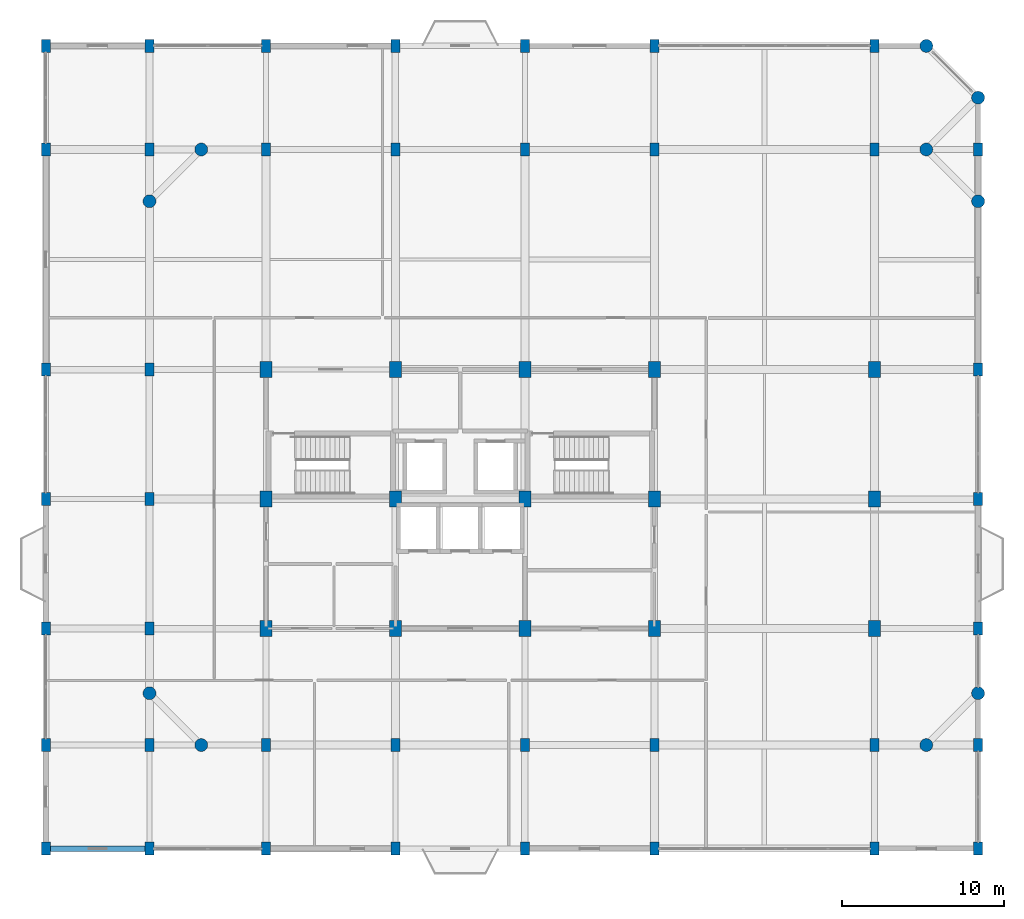
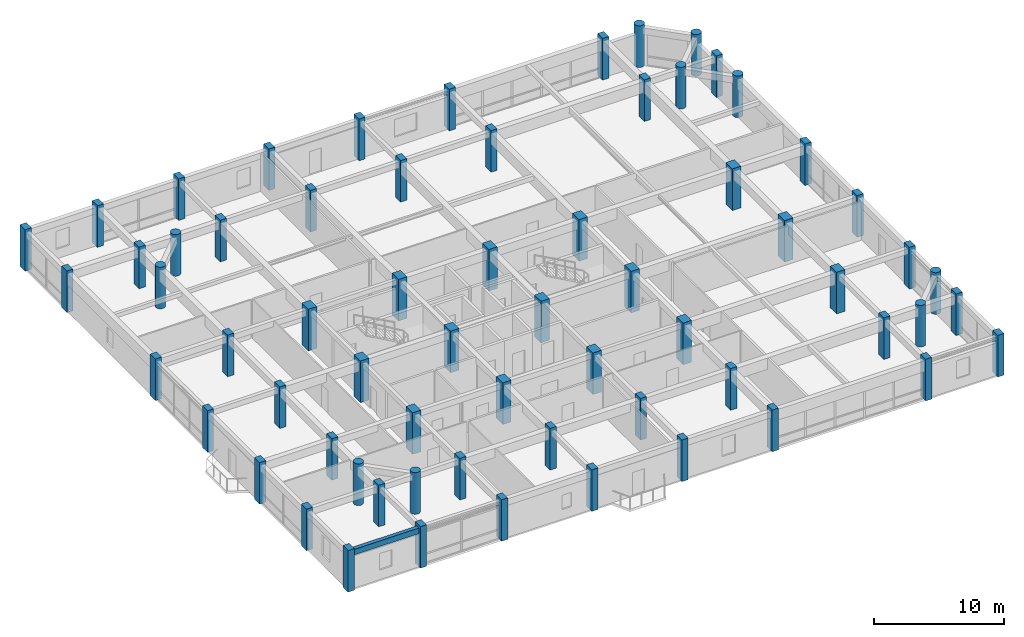
# One storey, part 1 of 15: 65 columns, 1 beam.
"""IFC4 building model written with IfcOpenShell, lengths in metres."""

from ifc_helpers import new_model, si_unit, direction, frame, origin, origin_2d, place, context, subcontext, project, spatial, rectangle, circle, extrude, material, material_profile, profile_set, type_object, element, save


model = new_model("IFC4")

# Units and contexts
model_context = context("Model", 3, precision=1e-05, world=origin(), true_north=direction((0.0, 1.0)))
body_context = subcontext(model_context, "Body", "Model", "MODEL_VIEW")
ifc_project = project(units=[si_unit("LENGTHUNIT", "METRE"), si_unit("AREAUNIT", "SQUARE_METRE"), si_unit("VOLUMEUNIT", "CUBIC_METRE"), si_unit("PLANEANGLEUNIT", "RADIAN"), si_unit("MASSUNIT", "GRAM", prefix="KILO")], contexts=[model_context])

# Site, building, storey
site_placement = place(None, origin())
site = spatial("IfcSite", under=ifc_project, at=site_placement, CompositionType="ELEMENT")
building_placement = place(site_placement, origin())
building = spatial("IfcBuilding", under=site, at=building_placement, Name="Vellmiral Cinema and Media Centre", CompositionType="ELEMENT")
storey_placement = place(building_placement, frame((0.0, 0.0, 31.699951171875)))
storey = spatial("IfcBuildingStorey", under=building, at=storey_placement, Name="L07", CompositionType="ELEMENT", Elevation=31.699951171875)

# Columns
ifc_material_1 = material(Name="Concrete C40/50", Category="concrete")
ifc_material_profile_1 = material_profile(ifc_material_1, rectangle(XDim=0.550048828125, YDim=0.800048828125, at=origin_2d()), Name="RC 550x800")
ifc_profile_set_1 = profile_set([ifc_material_profile_1], Name="Concrete C40/50")
column_type_1 = type_object("IfcColumnType", Name="COL-RC-550x800", PredefinedType="COLUMN", material=ifc_profile_set_1)
for number, where, z_axis, x_axis, name in (
    (1, (110.39990234375, 65.60009765625, 0.0), (0.0, 0.0, 1.0), (1.0, 0.0, 0.0), "Column L07-001"),
    (2, (110.39990234375, 72.0, 0.0), (0.0, 0.0, 1.0), (1.0, 0.0, 0.0), "Column L07-002"),
    (3, (110.39990234375, 79.199951171875, 0.0), (0.0, 0.0, 1.0), (1.0, 0.0, 0.0), "Column L07-003"),
    (4, (110.39990234375, 87.199951171875, 0.0), (0.0, 0.0, 1.0), (1.0, 0.0, 0.0), "Column L07-004"),
    (5, (110.39990234375, 95.199951171875, 0.0), (0.0, 0.0, 1.0), (1.0, 0.0, 0.0), "Column L07-005"),
    (6, (110.39990234375, 108.800048828125, 0.0), (0.0, 0.0, 1.0), (1.0, 0.0, 0.0), "Column L07-006"),
    (7, (110.39990234375, 115.199951171875, 0.0), (0.0, 0.0, 1.0), (1.0, 0.0, 0.0), "Column L07-007"),
    (8, (116.800048828125, 65.60009765625, 0.0), (0.0, 0.0, 1.0), (1.0, 0.0, 0.0), "Column L07-008"),
    (9, (116.800048828125, 72.0, 0.0), (0.0, 0.0, 1.0), (1.0, 0.0, 0.0), "Column L07-009"),
    (10, (116.800048828125, 79.199951171875, 0.0), (0.0, 0.0, 1.0), (1.0, 0.0, 0.0), "Column L07-011"),
    (11, (116.800048828125, 87.199951171875, 0.0), (0.0, 0.0, 1.0), (1.0, 0.0, 0.0), "Column L07-012"),
    (12, (116.800048828125, 95.199951171875, 0.0), (0.0, 0.0, 1.0), (1.0, 0.0, 0.0), "Column L07-013"),
    (13, (116.800048828125, 108.800048828125, 0.0), (0.0, 0.0, 1.0), (1.0, 0.0, 0.0), "Column L07-015"),
    (14, (116.800048828125, 115.199951171875, 0.0), (0.0, 0.0, 1.0), (1.0, 0.0, 0.0), "Column L07-016"),
    (15, (124.0, 65.60009765625, 0.0), (0.0, 0.0, 1.0), (1.0, 0.0, 0.0), "Column L07-019"),
    (16, (124.0, 72.0, 0.0), (0.0, 0.0, 1.0), (1.0, 0.0, 0.0), "Column L07-020"),
    (17, (124.0, 108.800048828125, 0.0), (0.0, 0.0, 1.0), (1.0, 0.0, 0.0), "Column L07-024"),
    (18, (124.0, 115.199951171875, 0.0), (0.0, 0.0, 1.0), (1.0, 0.0, 0.0), "Column L07-025"),
    (19, (132.0, 65.60009765625, 0.0), (0.0, 0.0, 1.0), (1.0, 0.0, 0.0), "Column L07-026"),
    (20, (132.0, 72.0, 0.0), (0.0, 0.0, 1.0), (1.0, 0.0, 0.0), "Column L07-027"),
    (21, (132.0, 108.800048828125, 0.0), (0.0, 0.0, 1.0), (1.0, 0.0, 0.0), "Column L07-031"),
    (22, (132.0, 115.199951171875, 0.0), (0.0, 0.0, 1.0), (1.0, 0.0, 0.0), "Column L07-032"),
    (23, (140.0, 65.60009765625, 0.0), (0.0, 0.0, 1.0), (1.0, 0.0, 0.0), "Column L07-033"),
    (24, (140.0, 72.0, 0.0), (0.0, 0.0, 1.0), (1.0, 0.0, 0.0), "Column L07-034"),
    (25, (140.0, 108.800048828125, 0.0), (0.0, 0.0, 1.0), (1.0, 0.0, 0.0), "Column L07-038"),
    (26, (140.0, 115.199951171875, 0.0), (0.0, 0.0, 1.0), (1.0, 0.0, 0.0), "Column L07-039"),
    (27, (148.0, 65.60009765625, 0.0), (0.0, 0.0, 1.0), (1.0, 0.0, 0.0), "Column L07-040"),
    (28, (148.0, 72.0, 0.0), (0.0, 0.0, 1.0), (1.0, 0.0, 0.0), "Column L07-041"),
    (29, (148.0, 108.800048828125, 0.0), (0.0, 0.0, 1.0), (1.0, 0.0, 0.0), "Column L07-045"),
    (30, (148.0, 115.199951171875, 0.0), (0.0, 0.0, 1.0), (1.0, 0.0, 0.0), "Column L07-046"),
    (31, (161.60009765625, 65.60009765625, 0.0), (0.0, 0.0, 1.0), (1.0, 0.0, 0.0), "Column L07-047"),
    (32, (161.60009765625, 72.0, 0.0), (0.0, 0.0, 1.0), (1.0, 0.0, 0.0), "Column L07-048"),
    (33, (161.60009765625, 108.800048828125, 0.0), (0.0, 0.0, 1.0), (1.0, 0.0, 0.0), "Column L07-052"),
    (34, (161.60009765625, 115.199951171875, 0.0), (0.0, 0.0, 1.0), (1.0, 0.0, 0.0), "Column L07-053"),
    (35, (168.0, 65.60009765625, 0.0), (0.0, 0.0, 1.0), (1.0, 0.0, 0.0), "Column L07-057"),
    (36, (168.0, 72.0, 0.0), (0.0, 0.0, 1.0), (1.0, 0.0, 0.0), "Column L07-058"),
    (37, (168.0, 79.199951171875, 0.0), (0.0, 0.0, 1.0), (1.0, 0.0, 0.0), "Column L07-060"),
    (38, (168.0, 87.199951171875, 0.0), (0.0, 0.0, 1.0), (1.0, 0.0, 0.0), "Column L07-061"),
    (39, (168.0, 95.199951171875, 0.0), (0.0, 0.0, 1.0), (1.0, 0.0, 0.0), "Column L07-062"),
    (40, (168.0, 108.800048828125, 0.0), (0.0, 0.0, 1.0), (1.0, 0.0, 0.0), "Column L07-064"),
):
    element("IfcColumn", number, at=place(storey_placement, frame(where, z_axis=z_axis, x_axis=x_axis)), inside=storey, type_object=column_type_1, Name=name, PredefinedType="COLUMN", context=body_context, shape_type="SweptSolid", body=[
        extrude(rectangle(XDim=0.550048828125, YDim=0.800048828125, at=origin_2d()), origin(), (0.0, 0.0, 1.0), 3.900146484375),
    ])
ifc_material_2 = material(Name="Concrete C40/50", Category="concrete")
ifc_material_profile_2 = material_profile(ifc_material_2, rectangle(XDim=0.75, YDim=1.0, at=origin_2d()), Name="RC 750x1000")
ifc_profile_set_2 = profile_set([ifc_material_profile_2], Name="Concrete C40/50")
column_type_2 = type_object("IfcColumnType", Name="COL-RC-750x1000", PredefinedType="COLUMN", material=ifc_profile_set_2)
for number, where, z_axis, x_axis, name in (
    (41, (124.0, 79.199951171875, 0.0), (0.0, 0.0, 1.0), (1.0, 0.0, 0.0), "Column L07-021"),
    (42, (124.0, 87.199951171875, 0.0), (0.0, 0.0, 1.0), (1.0, 0.0, 0.0), "Column L07-022"),
    (43, (124.0, 95.199951171875, 0.0), (0.0, 0.0, 1.0), (1.0, 0.0, 0.0), "Column L07-023"),
    (44, (132.0, 79.199951171875, 0.0), (0.0, 0.0, 1.0), (1.0, 0.0, 0.0), "Column L07-028"),
    (45, (132.0, 87.199951171875, 0.0), (0.0, 0.0, 1.0), (1.0, 0.0, 0.0), "Column L07-029"),
    (46, (132.0, 95.199951171875, 0.0), (0.0, 0.0, 1.0), (1.0, 0.0, 0.0), "Column L07-030"),
    (47, (140.0, 79.199951171875, 0.0), (0.0, 0.0, 1.0), (1.0, 0.0, 0.0), "Column L07-035"),
    (48, (140.0, 87.199951171875, 0.0), (0.0, 0.0, 1.0), (1.0, 0.0, 0.0), "Column L07-036"),
    (49, (140.0, 95.199951171875, 0.0), (0.0, 0.0, 1.0), (1.0, 0.0, 0.0), "Column L07-037"),
    (50, (148.0, 79.199951171875, 0.0), (0.0, 0.0, 1.0), (1.0, 0.0, 0.0), "Column L07-042"),
    (51, (148.0, 87.199951171875, 0.0), (0.0, 0.0, 1.0), (1.0, 0.0, 0.0), "Column L07-043"),
    (52, (148.0, 95.199951171875, 0.0), (0.0, 0.0, 1.0), (1.0, 0.0, 0.0), "Column L07-044"),
    (53, (161.60009765625, 79.199951171875, 0.0), (0.0, 0.0, 1.0), (1.0, 0.0, 0.0), "Column L07-049"),
    (54, (161.60009765625, 87.199951171875, 0.0), (0.0, 0.0, 1.0), (1.0, 0.0, 0.0), "Column L07-050"),
    (55, (161.60009765625, 95.199951171875, 0.0), (0.0, 0.0, 1.0), (1.0, 0.0, 0.0), "Column L07-051"),
):
    element("IfcColumn", number, at=place(storey_placement, frame(where, z_axis=z_axis, x_axis=x_axis)), inside=storey, type_object=column_type_2, Name=name, PredefinedType="COLUMN", context=body_context, shape_type="SweptSolid", body=[
        extrude(rectangle(XDim=0.75, YDim=1.0, at=origin_2d()), origin(), (0.0, 0.0, 1.0), 3.900146484375),
    ])
ifc_material_3 = material(Name="Concrete C40/50", Category="concrete")
ifc_material_profile_3 = material_profile(ifc_material_3, circle(Radius=0.39990234375, at=origin_2d()), Name="RC D800")
ifc_profile_set_3 = profile_set([ifc_material_profile_3], Name="Concrete C40/50")
column_type_3 = type_object("IfcColumnType", Name="COL-RCC-D800", PredefinedType="COLUMN", material=ifc_profile_set_3)
for number, where, z_axis, x_axis, name in (
    (56, (116.800048828125, 75.199951171875, 0.0), (0.0, 0.0, 1.0), (1.0, 0.0, 0.0), "Column L07-010"),
    (57, (116.800048828125, 105.60009765625, 0.0), (0.0, 0.0, 1.0), (1.0, 0.0, 0.0), "Column L07-014"),
    (58, (120.0, 72.0, 0.0), (0.0, 0.0, 1.0), (1.0, 0.0, 0.0), "Column L07-017"),
    (59, (120.0, 108.800048828125, 0.0), (0.0, 0.0, 1.0), (1.0, 0.0, 0.0), "Column L07-018"),
    (60, (164.800048828125, 72.0, 0.0), (0.0, 0.0, 1.0), (1.0, 0.0, 0.0), "Column L07-054"),
    (61, (164.800048828125, 108.800048828125, 0.0), (0.0, 0.0, 1.0), (1.0, 0.0, 0.0), "Column L07-055"),
    (62, (164.800048828125, 115.199951171875, 0.0), (0.0, 0.0, 1.0), (1.0, 0.0, 0.0), "Column L07-056"),
    (63, (168.0, 75.199951171875, 0.0), (0.0, 0.0, 1.0), (1.0, 0.0, 0.0), "Column L07-059"),
    (64, (168.0, 105.60009765625, 0.0), (0.0, 0.0, 1.0), (1.0, 0.0, 0.0), "Column L07-063"),
    (65, (168.0, 112.0, 0.0), (0.0, 0.0, 1.0), (1.0, 0.0, 0.0), "Column L07-065"),
):
    element("IfcColumn", number, at=place(storey_placement, frame(where, z_axis=z_axis, x_axis=x_axis)), inside=storey, type_object=column_type_3, Name=name, PredefinedType="COLUMN", context=body_context, shape_type="SweptSolid", body=[
        extrude(circle(Radius=0.39990234375, at=origin_2d()), origin(), (0.0, 0.0, 1.0), 3.900146484375),
    ])

# Beam
ifc_material_4 = material(Name="Vosges Red Sandstone Masonry", Category="masonry")
ifc_material_profile_4 = material_profile(ifc_material_4, rectangle(XDim=0.340087890625, YDim=0.52001953125, at=origin_2d()), Name="SAND 340x520")
ifc_profile_set_4 = profile_set([ifc_material_profile_4], Name="Vosges Red Sandstone Masonry")
beam_type = type_object("IfcBeamType", Name="SPD-SAND-340x520", PredefinedType="SPANDREL", material=ifc_profile_set_4)
beam_placement = place(storey_placement, frame((110.39990234375, 65.60009765625, 3.375), z_axis=(1.0, 0.0, 0.0), x_axis=(0.0, 1.0, 0.0)))
element("IfcBeam", 66, at=beam_placement, inside=storey, type_object=beam_type, Name="Grid Beam L07-X001", PredefinedType="SPANDREL", context=body_context, shape_type="SweptSolid", body=[
    extrude(rectangle(XDim=0.340087890625, YDim=0.52001953125, at=origin_2d()), origin(), (0.0, 0.0, 1.0), 6.400146484375),
])

save(model, "model.ifc")
